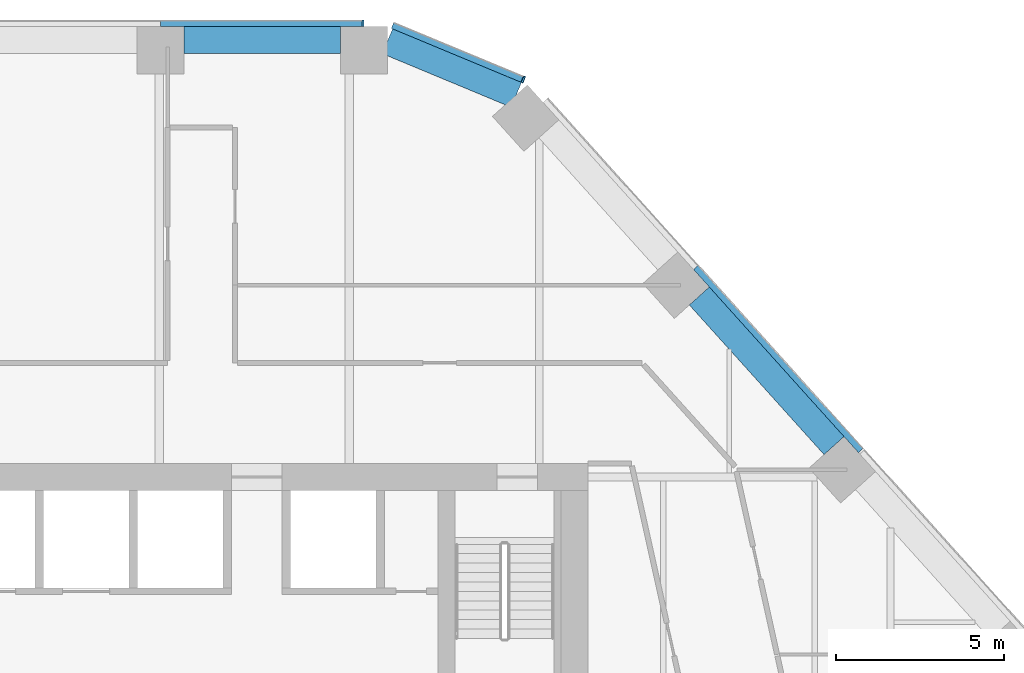
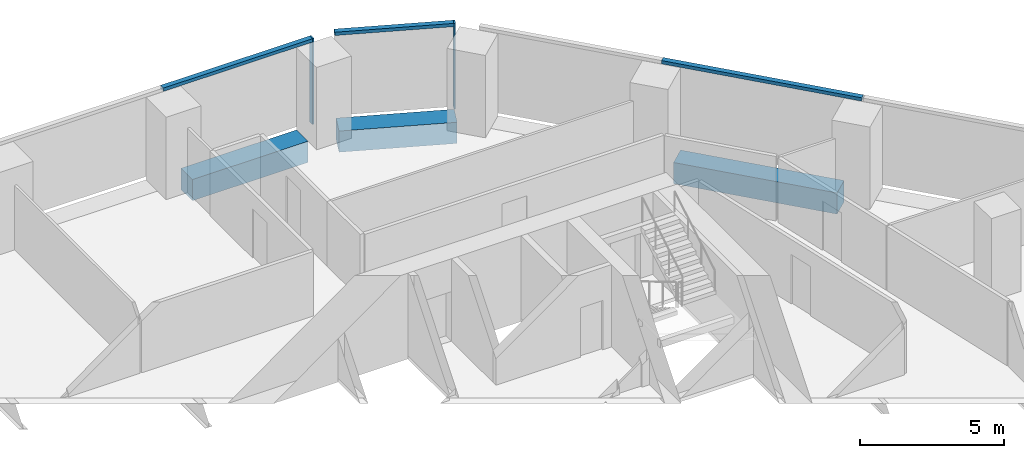
# One storey, part 9 of 16: 5 members, 3 beams, 3 elements without a shape of their own.
"""IFC4 building model written with IfcOpenShell, lengths in metres."""

from ifc_helpers import new_model, si_unit, direction, frame, origin, origin_2d, place, context, subcontext, project, spatial, rectangle, extrude, material, layer, layer_set, material_profile, profile_set, type_object, element, aggregate, save


model = new_model("IFC4")

# Units and contexts
model_context = context("Model", 3, precision=1e-05, world=origin(), true_north=direction((0.0, 1.0)))
body_context = subcontext(model_context, "Body", "Model", "MODEL_VIEW")
ifc_project = project(units=[si_unit("LENGTHUNIT", "METRE"), si_unit("AREAUNIT", "SQUARE_METRE"), si_unit("VOLUMEUNIT", "CUBIC_METRE"), si_unit("PLANEANGLEUNIT", "RADIAN"), si_unit("MASSUNIT", "GRAM", prefix="KILO")], contexts=[model_context])

# Site, building, storey
site_placement = place(None, origin())
site = spatial("IfcSite", under=ifc_project, at=site_placement, CompositionType="ELEMENT")
building_placement = place(site_placement, origin())
building = spatial("IfcBuilding", under=site, at=building_placement, Name="Isthmus Gate Tower", CompositionType="ELEMENT")
storey_placement = place(building_placement, frame((0.0, 0.0, 137.10009765625)))
storey = spatial("IfcBuildingStorey", under=building, at=storey_placement, Name="L33", CompositionType="ELEMENT", Elevation=137.10009765625)

# Curtain wall, member
ifc_material_1 = material(Name="Aluminium, pale champagne anodised", Category="aluminium")
ifc_layer = layer(ifc_material_1, 0.199951171875)
ifc_layer_set = layer_set([ifc_layer], Name="CW-1 UNITISED CURTAIN WALL 200 DEEP")
curtain_wall_type = type_object("IfcCurtainWallType", Name="CW-1 UNITISED CURTAIN WALL 200 DEEP", PredefinedType="NOTDEFINED", material=ifc_layer_set)
curtain_wall_1_placement = place(storey_placement, origin())
curtain_wall_1 = element("IfcCurtainWall", 1, at=curtain_wall_1_placement, inside=storey, type_object=curtain_wall_type, Name="CW-1 N L33", PredefinedType="NOTDEFINED")
ifc_material_2 = material(Name="Aluminium, pale champagne anodised", Category="aluminium")
ifc_material_profile_1 = material_profile(ifc_material_2, rectangle(XDim=0.06005859375, YDim=0.199951171875, at=origin_2d()), Name="60x200")
ifc_profile_set_1 = profile_set([ifc_material_profile_1], Name="Aluminium, pale champagne anodised")
member_type_1 = type_object("IfcMemberType", Name="CW-1 MULLION 60 X 200", PredefinedType="MULLION", material=ifc_profile_set_1)
member_1_placement = place(storey_placement, frame((8.30859375, 28.10009765625, 0.0), z_axis=(0.0, 0.0, 1.0), x_axis=(-1.0, 0.0, 0.0)))
member_1 = element("IfcMember", 2, at=member_1_placement, type_object=member_type_1, Name="CW-1 mullion", PredefinedType="MULLION", context=body_context, shape_type="SweptSolid", body=[
    extrude(rectangle(XDim=0.06005859375, YDim=0.199951171875, at=origin_2d()), origin(), (0.0, 0.0, 1.0), 3.64990234375),
])

curtain_wall_2_placement = place(storey_placement, origin())
curtain_wall_2 = element("IfcCurtainWall", 3, at=curtain_wall_2_placement, inside=storey, type_object=curtain_wall_type, Name="CW-1 NE-N L33", PredefinedType="NOTDEFINED")
member_2_placement = place(storey_placement, frame((13.080810546875, 26.427490234375, 0.0), z_axis=(0.0, 0.0, 1.0), x_axis=(-0.923353128387, 0.383951820282, 0.0)))
member_2 = element("IfcMember", 4, at=member_2_placement, type_object=member_type_1, Name="CW-1 mullion", PredefinedType="MULLION", context=body_context, shape_type="SweptSolid", body=[
    extrude(rectangle(XDim=0.06005859375, YDim=0.199951171875, at=origin_2d()), origin(), (0.0, 0.0, 1.0), 3.64990234375),
])

# Member
ifc_material_3 = material(Name="Aluminium, pale champagne anodised", Category="aluminium")
ifc_material_profile_2 = material_profile(ifc_material_3, rectangle(XDim=0.199951171875, YDim=0.139892578125, at=origin_2d()), Name="200x140")
ifc_profile_set_2 = profile_set([ifc_material_profile_2], Name="Aluminium, pale champagne anodised")
member_type_2 = type_object("IfcMemberType", Name="CW-1 TRANSOM 200 X 140", PredefinedType="USERDEFINED", material=ifc_profile_set_2)
member_3_placement = place(storey_placement, frame((8.278564453125, 28.10009765625, 3.579833984375), z_axis=(-1.0, 0.0, 0.0), x_axis=(0.0, -1.0, 0.0)))
member_3 = element("IfcMember", 5, at=member_3_placement, type_object=member_type_2, Name="CW-1 transom", ObjectType="TRANSOM", PredefinedType="USERDEFINED", context=body_context, shape_type="SweptSolid", body=[
    extrude(rectangle(XDim=0.199951171875, YDim=0.139892578125, at=origin_2d()), origin(), (0.0, 0.0, 1.0), 5.990234375),
])

aggregate(curtain_wall_1, [member_1, member_3])

# Curtain wall, member
curtain_wall_3_placement = place(storey_placement, origin())
curtain_wall_3 = element("IfcCurtainWall", 6, at=curtain_wall_3_placement, inside=storey, type_object=curtain_wall_type, Name="CW-1 NE L33", PredefinedType="NOTDEFINED")
member_4_placement = place(storey_placement, frame((23.126708984375, 15.3955078125, 3.579833984375), z_axis=(-0.669137671884, 0.743138463589, 0.0), x_axis=(-0.743138463589, -0.669137671884, 0.0)))
member_4 = element("IfcMember", 7, at=member_4_placement, type_object=member_type_2, Name="CW-1 transom", ObjectType="TRANSOM", PredefinedType="USERDEFINED", context=body_context, shape_type="SweptSolid", body=[
    extrude(rectangle(XDim=0.199951171875, YDim=0.139892578125, at=origin_2d()), origin(), (0.0, 0.0, 1.0), 7.330810546875),
])
aggregate(curtain_wall_3, [member_4])

# Member
member_5_placement = place(storey_placement, frame((13.05322265625, 26.43896484375, 3.579833984375), z_axis=(-0.923358236369, 0.383939536033, 0.0), x_axis=(-0.383939536033, -0.923358236369, 0.0)))
member_5 = element("IfcMember", 8, at=member_5_placement, type_object=member_type_2, Name="CW-1 transom", ObjectType="TRANSOM", PredefinedType="USERDEFINED", context=body_context, shape_type="SweptSolid", body=[
    extrude(rectangle(XDim=0.199951171875, YDim=0.139892578125, at=origin_2d()), origin(), (0.0, 0.0, 1.0), 4.181640625),
])

aggregate(curtain_wall_2, [member_2, member_5])

# Beams
ifc_material_4 = material(Name="Concrete f'c 60 MPa", Category="concrete")
ifc_material_profile_3 = material_profile(ifc_material_4, rectangle(XDim=0.800048828125, YDim=0.89990234375, at=origin_2d()), Name="RC 800X900")
ifc_profile_set_3 = profile_set([ifc_material_profile_3], Name="Concrete f'c 60 MPa")
beam_type = type_object("IfcBeamType", Name="RC SPANDREL 800 X 900", PredefinedType="SPANDREL", material=ifc_profile_set_3)
beam_1_placement = place(storey_placement, frame((9.03857421875, 27.56689453125, -0.4501953125), z_axis=(0.923342835736, -0.383976571805, 0.0), x_axis=(0.383976571805, 0.923342835736, 0.0)))
element("IfcBeam", 9, at=beam_1_placement, inside=storey, type_object=beam_type, Name="str-spandrel-L33-00", PredefinedType="SPANDREL", context=body_context, shape_type="SweptSolid", body=[
    extrude(rectangle(XDim=0.800048828125, YDim=0.89990234375, at=origin_2d()), origin(), (0.0, 0.0, 1.0), 4.152587890625),
])
beam_2_placement = place(storey_placement, frame((18.318359375, 19.988525390625, -0.4501953125), z_axis=(0.669133582923, -0.743142145356, 0.0), x_axis=(0.743142145356, 0.669133582923, 0.0)))
element("IfcBeam", 10, at=beam_2_placement, inside=storey, type_object=beam_type, Name="str-spandrel-L33-02", PredefinedType="SPANDREL", context=body_context, shape_type="SweptSolid", body=[
    extrude(rectangle(XDim=0.800048828125, YDim=0.89990234375, at=origin_2d()), origin(), (0.0, 0.0, 1.0), 5.99072265625),
])
beam_3_placement = place(storey_placement, frame((2.988525390625, 27.60009765625, -0.4501953125), z_axis=(1.0, 0.0, 0.0), x_axis=(0.0, 1.0, 0.0)))
element("IfcBeam", 11, at=beam_3_placement, inside=storey, type_object=beam_type, Name="str-spandrel-L33-29", PredefinedType="SPANDREL", context=body_context, shape_type="SweptSolid", body=[
    extrude(rectangle(XDim=0.800048828125, YDim=0.89990234375, at=origin_2d()), origin(), (0.0, 0.0, 1.0), 4.650146484375),
])

save(model, "model.ifc")
